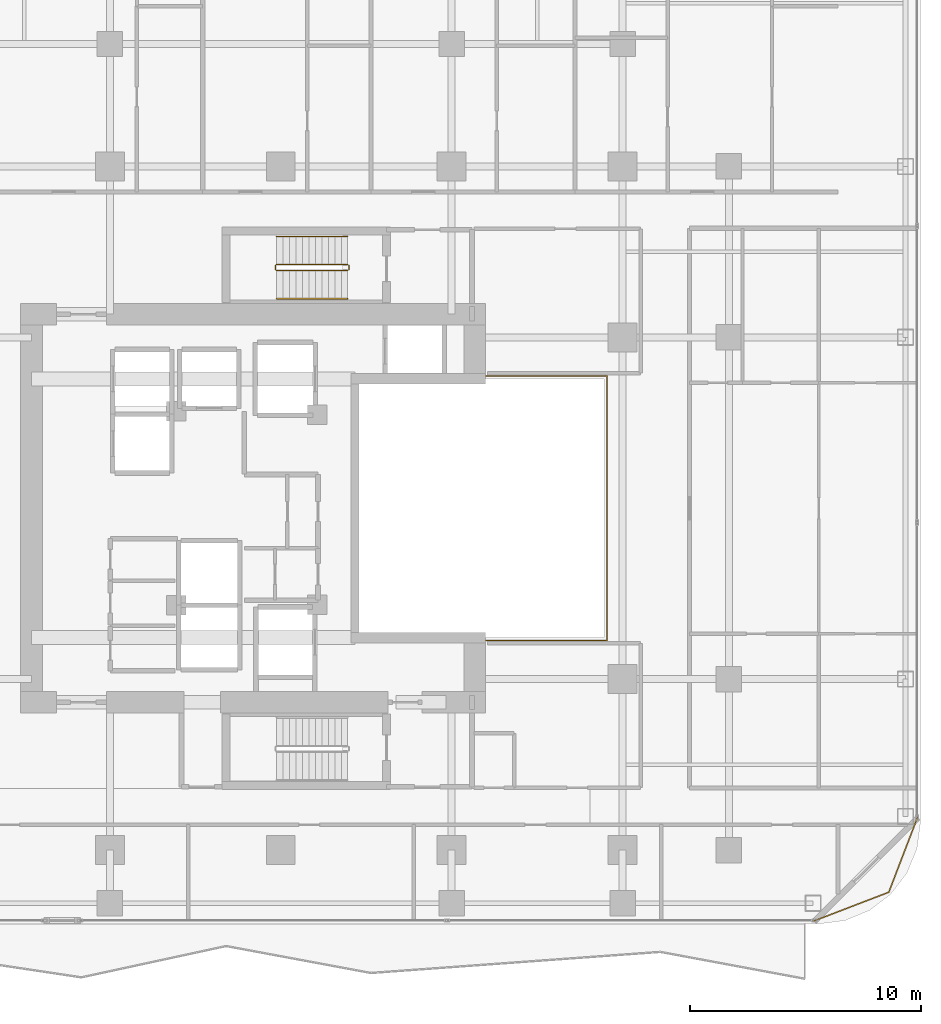
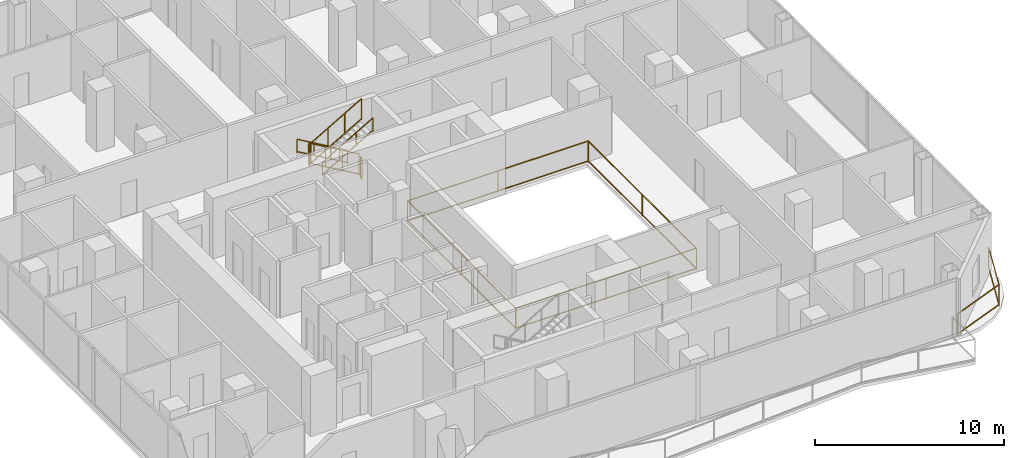
# One storey, part 25 of 26: 8 railings.
"""IFC4 building model written with IfcOpenShell, lengths in metres."""

from ifc_helpers import new_model, si_unit, direction, frame, origin, origin_2d, place, context, subcontext, project, spatial, rectangle, extrude, material, type_object, element, save


model = new_model("IFC4")

# Units and contexts
model_context = context("Model", 3, precision=1e-05, world=origin(), true_north=direction((0.0, 1.0)))
body_context = subcontext(model_context, "Body", "Model", "MODEL_VIEW")
ifc_project = project(units=[si_unit("LENGTHUNIT", "METRE"), si_unit("AREAUNIT", "SQUARE_METRE"), si_unit("VOLUMEUNIT", "CUBIC_METRE"), si_unit("PLANEANGLEUNIT", "RADIAN"), si_unit("MASSUNIT", "GRAM", prefix="KILO")], contexts=[model_context])

# Site, building, storey
site_placement = place(None, origin())
site = spatial("IfcSite", under=ifc_project, at=site_placement, CompositionType="ELEMENT")
building_placement = place(site_placement, origin())
building = spatial("IfcBuilding", under=site, at=building_placement, Name="Khorvyn Point Tower", CompositionType="ELEMENT")
storey_placement = place(building_placement, frame((0.0, 0.0, 113.39990234375)))
storey = spatial("IfcBuildingStorey", under=building, at=storey_placement, Name="L28", CompositionType="ELEMENT", Elevation=113.39990234375)

# Railings
ifc_material_1 = material(Name="Stainless steel 1.4401 and laminated glass", Category="steel")
railing_type_1 = type_object("IfcRailingType", Name="Crystal Atrium Smoke-Rated Perimeter Guardrail 1400", PredefinedType="GUARDRAIL", material=ifc_material_1)
railing_1_placement = place(storey_placement, frame((3.080078125, -5.719970703125, 0.0)))
element("IfcRailing", 1, at=railing_1_placement, inside=storey, type_object=railing_type_1, Name="L28 Crystal Atrium Perimeter Guardrail", PredefinedType="GUARDRAIL", context=body_context, shape_type="SweptSolid", body=[
    extrude(rectangle(XDim=0.048095703125, YDim=0.048095703125, at=origin_2d()), frame((0.0, 0.0, 1.3759765625), z_axis=(1.0, 0.0, 0.0), x_axis=(0.0, 1.0, 0.0)), (0.0, 0.0, 1.0), 11.0400390625),
    extrude(rectangle(XDim=0.048095703125, YDim=0.048095703125, at=origin_2d()), frame((0.0, 0.0, 0.080078125), z_axis=(1.0, 0.0, 0.0), x_axis=(0.0, 1.0, 0.0)), (0.0, 0.0, 1.0), 11.0400390625),
    extrude(rectangle(XDim=0.048095703125, YDim=0.048095703125, at=origin_2d()), frame((11.0400390625, 0.0, 1.3759765625), z_axis=(0.0, 1.0, 0.0), x_axis=(-1.0, 0.0, 0.0)), (0.0, 0.0, 1.0), 11.43994140625),
    extrude(rectangle(XDim=0.048095703125, YDim=0.048095703125, at=origin_2d()), frame((11.0400390625, 0.0, 0.080078125), z_axis=(0.0, 1.0, 0.0), x_axis=(-1.0, 0.0, 0.0)), (0.0, 0.0, 1.0), 11.43994140625),
    extrude(rectangle(XDim=0.048095703125, YDim=0.048095703125, at=origin_2d()), frame((11.0400390625, 11.43994140625, 1.3759765625), z_axis=(-1.0, 0.0, 0.0), x_axis=(0.0, -1.0, 0.0)), (0.0, 0.0, 1.0), 11.0400390625),
    extrude(rectangle(XDim=0.048095703125, YDim=0.048095703125, at=origin_2d()), frame((11.0400390625, 11.43994140625, 0.080078125), z_axis=(-1.0, 0.0, 0.0), x_axis=(0.0, -1.0, 0.0)), (0.0, 0.0, 1.0), 11.0400390625),
    extrude(rectangle(XDim=0.048095703125, YDim=0.048095703125, at=origin_2d()), frame((0.0, 11.43994140625, 1.3759765625), z_axis=(0.0, -1.0, 0.0), x_axis=(1.0, 0.0, 0.0)), (0.0, 0.0, 1.0), 11.409912109375),
    extrude(rectangle(XDim=0.048095703125, YDim=0.048095703125, at=origin_2d()), frame((0.0, 11.43994140625, 0.080078125), z_axis=(0.0, -1.0, 0.0), x_axis=(1.0, 0.0, 0.0)), (0.0, 0.0, 1.0), 11.409912109375),
    extrude(rectangle(XDim=0.0419921875, YDim=0.0419921875, at=origin_2d()), origin(), (0.0, 0.0, 1.0), 1.351806640625),
    extrude(rectangle(XDim=0.0419921875, YDim=0.0419921875, at=origin_2d()), frame((5.52001953125, 0.0, 0.0)), (0.0, 0.0, 1.0), 1.351806640625),
    extrude(rectangle(XDim=0.0419921875, YDim=0.0419921875, at=origin_2d()), frame((11.0400390625, 0.0, 0.0)), (0.0, 0.0, 1.0), 1.351806640625),
    extrude(rectangle(XDim=0.0419921875, YDim=0.0419921875, at=origin_2d()), frame((11.0400390625, 5.719970703125, 0.0)), (0.0, 0.0, 1.0), 1.351806640625),
    extrude(rectangle(XDim=0.0419921875, YDim=0.0419921875, at=origin_2d()), frame((11.0400390625, 11.43994140625, 0.0)), (0.0, 0.0, 1.0), 1.351806640625),
    extrude(rectangle(XDim=0.0419921875, YDim=0.0419921875, at=origin_2d()), frame((5.52001953125, 11.43994140625, 0.0)), (0.0, 0.0, 1.0), 1.351806640625),
    extrude(rectangle(XDim=0.0419921875, YDim=0.0419921875, at=origin_2d()), frame((0.0, 11.43994140625, 0.0)), (0.0, 0.0, 1.0), 1.351806640625),
    extrude(rectangle(XDim=0.0419921875, YDim=0.0419921875, at=origin_2d()), frame((0.0, 5.73486328125, 0.0)), (0.0, 0.0, 1.0), 1.351806640625),
    extrude(rectangle(XDim=0.0419921875, YDim=0.0419921875, at=origin_2d()), frame((0.0, 0.030029296875, 0.0)), (0.0, 0.0, 1.0), 1.351806640625),
])
ifc_material_2 = material(Name="Anodised aluminium 6063-T6 and laminated safety glass", Category="aluminium")
railing_type_2 = type_object("IfcRailingType", Name="Laminated Glass and Aluminium Balcony Guardrail 1400", PredefinedType="BALUSTRADE", material=ifc_material_2)
railing_2_placement = place(storey_placement, frame((23.075927734375, -17.8740234375, 0.0)))
element("IfcRailing", 2, at=railing_2_placement, inside=storey, type_object=railing_type_2, Name="L28 Rounded Corner Edge Guardrail SE", PredefinedType="BALUSTRADE", context=body_context, shape_type="SweptSolid", body=[
    extrude(rectangle(XDim=0.048095703125, YDim=0.048095703125, at=origin_2d()), frame((0.0, 0.0, 1.3759765625), z_axis=(0.933598390295, 0.358321148746, 0.0), x_axis=(-0.358321148746, 0.933598390295, 0.0)), (0.0, 0.0, 1.0), 3.481689453125),
    extrude(rectangle(XDim=0.048095703125, YDim=0.048095703125, at=origin_2d()), frame((0.0, 0.0, 0.080078125), z_axis=(0.933598390295, 0.358321148746, 0.0), x_axis=(-0.358321148746, 0.933598390295, 0.0)), (0.0, 0.0, 1.0), 3.481689453125),
    extrude(rectangle(XDim=0.048095703125, YDim=0.048095703125, at=origin_2d()), frame((3.25048828125, 1.24755859375, 1.3759765625), z_axis=(0.358382264808, 0.933574931257, 0.0), x_axis=(-0.933574931257, 0.358382264808, 0.0)), (0.0, 0.0, 1.0), 3.481689453125),
    extrude(rectangle(XDim=0.048095703125, YDim=0.048095703125, at=origin_2d()), frame((3.25048828125, 1.24755859375, 0.080078125), z_axis=(0.358382264808, 0.933574931257, 0.0), x_axis=(-0.933574931257, 0.358382264808, 0.0)), (0.0, 0.0, 1.0), 3.481689453125),
    extrude(rectangle(XDim=0.0419921875, YDim=0.0419921875, at=origin_2d()), origin(), (0.0, 0.0, 1.0), 1.351806640625),
    extrude(rectangle(XDim=0.0419921875, YDim=0.0419921875, at=origin_2d()), frame((3.25048828125, 1.24755859375, 0.0)), (0.0, 0.0, 1.0), 1.351806640625),
    extrude(rectangle(XDim=0.0419921875, YDim=0.0419921875, at=origin_2d()), frame((4.498291015625, 4.498046875, 0.0)), (0.0, 0.0, 1.0), 1.351806640625),
])
ifc_material_3 = material(Name="Stainless steel 1.4301", Category="steel")
railing_type_3 = type_object("IfcRailingType", Name="Stainless Steel 304 Stair Pitch Handrail 900", PredefinedType="HANDRAIL", material=ifc_material_3)
railing_3_placement = place(storey_placement, frame((2.89990234375, 11.77001953125, 0.16259765625)))
element("IfcRailing", 3, at=railing_3_placement, inside=storey, type_object=railing_type_3, Name="L28 ST-02 stair handrail 1", PredefinedType="HANDRAIL", context=body_context, shape_type="SweptSolid", body=[
    extrude(rectangle(XDim=0.048095703125, YDim=0.048095703125, at=origin_2d()), frame((0.0, 0.0, 0.8759765625), z_axis=(-0.864873446163, 0.0, 0.501989962173), x_axis=(0.0, -1.0, 0.0)), (0.0, 0.0, 1.0), 3.56103515625),
    extrude(rectangle(XDim=0.048095703125, YDim=0.048095703125, at=origin_2d()), frame((0.0, 0.0, 0.080078125), z_axis=(-0.864873446163, 0.0, 0.501989962173), x_axis=(0.0, -1.0, 0.0)), (0.0, 0.0, 1.0), 3.56103515625),
    extrude(rectangle(XDim=0.0419921875, YDim=0.0419921875, at=origin_2d()), origin(), (0.0, 0.0, 1.0), 0.851806640625),
    extrude(rectangle(XDim=0.0419921875, YDim=0.0419921875, at=origin_2d()), frame((-1.026611328125, 0.0, 0.595947265625)), (0.0, 0.0, 1.0), 0.851806640625),
    extrude(rectangle(XDim=0.0419921875, YDim=0.0419921875, at=origin_2d()), frame((-2.05322265625, 0.0, 1.191650390625)), (0.0, 0.0, 1.0), 0.851806640625),
    extrude(rectangle(XDim=0.0419921875, YDim=0.0419921875, at=origin_2d()), frame((-3.079833984375, 0.0, 1.78759765625)), (0.0, 0.0, 1.0), 0.851806640625),
])
railing_4_placement = place(storey_placement, frame((-0.179931640625, 9.070068359375, 2.112548828125)))
element("IfcRailing", 4, at=railing_4_placement, inside=storey, type_object=railing_type_3, Name="L28 ST-02 stair handrail 2", PredefinedType="HANDRAIL", context=body_context, shape_type="SweptSolid", body=[
    extrude(rectangle(XDim=0.048095703125, YDim=0.048095703125, at=origin_2d()), frame((0.0, 0.0, 0.8759765625), z_axis=(0.864873446163, 0.0, 0.501989962173), x_axis=(0.0, 1.0, 0.0)), (0.0, 0.0, 1.0), 3.56103515625),
    extrude(rectangle(XDim=0.048095703125, YDim=0.048095703125, at=origin_2d()), frame((0.0, 0.0, 0.080078125), z_axis=(0.864873446163, 0.0, 0.501989962173), x_axis=(0.0, 1.0, 0.0)), (0.0, 0.0, 1.0), 3.56103515625),
    extrude(rectangle(XDim=0.0419921875, YDim=0.0419921875, at=origin_2d()), origin(), (0.0, 0.0, 1.0), 0.851806640625),
    extrude(rectangle(XDim=0.0419921875, YDim=0.0419921875, at=origin_2d()), frame((1.026611328125, 0.0, 0.595947265625)), (0.0, 0.0, 1.0), 0.851806640625),
    extrude(rectangle(XDim=0.0419921875, YDim=0.0419921875, at=origin_2d()), frame((2.05322265625, 0.0, 1.191650390625)), (0.0, 0.0, 1.0), 0.851806640625),
    extrude(rectangle(XDim=0.0419921875, YDim=0.0419921875, at=origin_2d()), frame((3.079833984375, 0.0, 1.78759765625)), (0.0, 0.0, 1.0), 0.851806640625),
])
railing_type_4 = type_object("IfcRailingType", Name="Stainless Steel 304 Stair Well Guardrail 1400", PredefinedType="GUARDRAIL", material=ifc_material_3)
railing_5_placement = place(storey_placement, frame((2.89990234375, 10.550048828125, 0.16259765625)))
element("IfcRailing", 5, at=railing_5_placement, inside=storey, type_object=railing_type_4, Name="L28 ST-02 stair guard 1", PredefinedType="GUARDRAIL", context=body_context, shape_type="SweptSolid", body=[
    extrude(rectangle(XDim=0.048095703125, YDim=0.048095703125, at=origin_2d()), frame((0.0, 0.0, 1.3759765625), z_axis=(-0.864873446163, 0.0, 0.501989962173), x_axis=(0.0, -1.0, 0.0)), (0.0, 0.0, 1.0), 3.56103515625),
    extrude(rectangle(XDim=0.048095703125, YDim=0.048095703125, at=origin_2d()), frame((0.0, 0.0, 0.080078125), z_axis=(-0.864873446163, 0.0, 0.501989962173), x_axis=(0.0, -1.0, 0.0)), (0.0, 0.0, 1.0), 3.56103515625),
    extrude(rectangle(XDim=0.0419921875, YDim=0.0419921875, at=origin_2d()), origin(), (0.0, 0.0, 1.0), 1.351806640625),
    extrude(rectangle(XDim=0.0419921875, YDim=0.0419921875, at=origin_2d()), frame((-1.026611328125, 0.0, 0.595947265625)), (0.0, 0.0, 1.0), 1.351806640625),
    extrude(rectangle(XDim=0.0419921875, YDim=0.0419921875, at=origin_2d()), frame((-2.05322265625, 0.0, 1.191650390625)), (0.0, 0.0, 1.0), 1.351806640625),
    extrude(rectangle(XDim=0.0419921875, YDim=0.0419921875, at=origin_2d()), frame((-3.079833984375, 0.0, 1.78759765625)), (0.0, 0.0, 1.0), 1.351806640625),
])
railing_6_placement = place(storey_placement, frame((-0.22998046875, 10.5, 1.9501953125)))
element("IfcRailing", 6, at=railing_6_placement, inside=storey, type_object=railing_type_4, Name="L28 ST-02 stair guard 2", PredefinedType="GUARDRAIL", context=body_context, shape_type="SweptSolid", body=[
    extrude(rectangle(XDim=0.048095703125, YDim=0.048095703125, at=origin_2d()), frame((0.0, 0.0, 1.3759765625), z_axis=(0.0, -1.0, 0.0), x_axis=(1.0, 0.0, 0.0)), (0.0, 0.0, 1.0), 0.159912109375),
    extrude(rectangle(XDim=0.048095703125, YDim=0.048095703125, at=origin_2d()), frame((0.0, 0.0, 0.080078125), z_axis=(0.0, -1.0, 0.0), x_axis=(1.0, 0.0, 0.0)), (0.0, 0.0, 1.0), 0.159912109375),
    extrude(rectangle(XDim=0.0419921875, YDim=0.0419921875, at=origin_2d()), origin(), (0.0, 0.0, 1.0), 1.351806640625),
    extrude(rectangle(XDim=0.0419921875, YDim=0.0419921875, at=origin_2d()), frame((0.0, -0.159912109375, 0.0)), (0.0, 0.0, 1.0), 1.351806640625),
])
railing_7_placement = place(storey_placement, frame((-0.179931640625, 10.2900390625, 2.112548828125)))
element("IfcRailing", 7, at=railing_7_placement, inside=storey, type_object=railing_type_4, Name="L28 ST-02 stair guard 3", PredefinedType="GUARDRAIL", context=body_context, shape_type="SweptSolid", body=[
    extrude(rectangle(XDim=0.048095703125, YDim=0.048095703125, at=origin_2d()), frame((0.0, 0.0, 1.3759765625), z_axis=(0.864873446163, 0.0, 0.501989962173), x_axis=(0.0, 1.0, 0.0)), (0.0, 0.0, 1.0), 3.56103515625),
    extrude(rectangle(XDim=0.048095703125, YDim=0.048095703125, at=origin_2d()), frame((0.0, 0.0, 0.080078125), z_axis=(0.864873446163, 0.0, 0.501989962173), x_axis=(0.0, 1.0, 0.0)), (0.0, 0.0, 1.0), 3.56103515625),
    extrude(rectangle(XDim=0.0419921875, YDim=0.0419921875, at=origin_2d()), origin(), (0.0, 0.0, 1.0), 1.351806640625),
    extrude(rectangle(XDim=0.0419921875, YDim=0.0419921875, at=origin_2d()), frame((1.026611328125, 0.0, 0.595947265625)), (0.0, 0.0, 1.0), 1.351806640625),
    extrude(rectangle(XDim=0.0419921875, YDim=0.0419921875, at=origin_2d()), frame((2.05322265625, 0.0, 1.191650390625)), (0.0, 0.0, 1.0), 1.351806640625),
    extrude(rectangle(XDim=0.0419921875, YDim=0.0419921875, at=origin_2d()), frame((3.079833984375, 0.0, 1.78759765625)), (0.0, 0.0, 1.0), 1.351806640625),
])
railing_8_placement = place(storey_placement, frame((2.949951171875, 10.5, 0.0)))
element("IfcRailing", 8, at=railing_8_placement, inside=storey, type_object=railing_type_4, Name="L28 ST-02 stair guard 4", PredefinedType="GUARDRAIL", context=body_context, shape_type="SweptSolid", body=[
    extrude(rectangle(XDim=0.048095703125, YDim=0.048095703125, at=origin_2d()), frame((0.0, 0.0, 1.3759765625), z_axis=(0.0, -1.0, 0.0), x_axis=(1.0, 0.0, 0.0)), (0.0, 0.0, 1.0), 0.159912109375),
    extrude(rectangle(XDim=0.048095703125, YDim=0.048095703125, at=origin_2d()), frame((0.0, 0.0, 0.080078125), z_axis=(0.0, -1.0, 0.0), x_axis=(1.0, 0.0, 0.0)), (0.0, 0.0, 1.0), 0.159912109375),
    extrude(rectangle(XDim=0.0419921875, YDim=0.0419921875, at=origin_2d()), origin(), (0.0, 0.0, 1.0), 1.351806640625),
    extrude(rectangle(XDim=0.0419921875, YDim=0.0419921875, at=origin_2d()), frame((0.0, -0.159912109375, 0.0)), (0.0, 0.0, 1.0), 1.351806640625),
])

save(model, "model.ifc")
